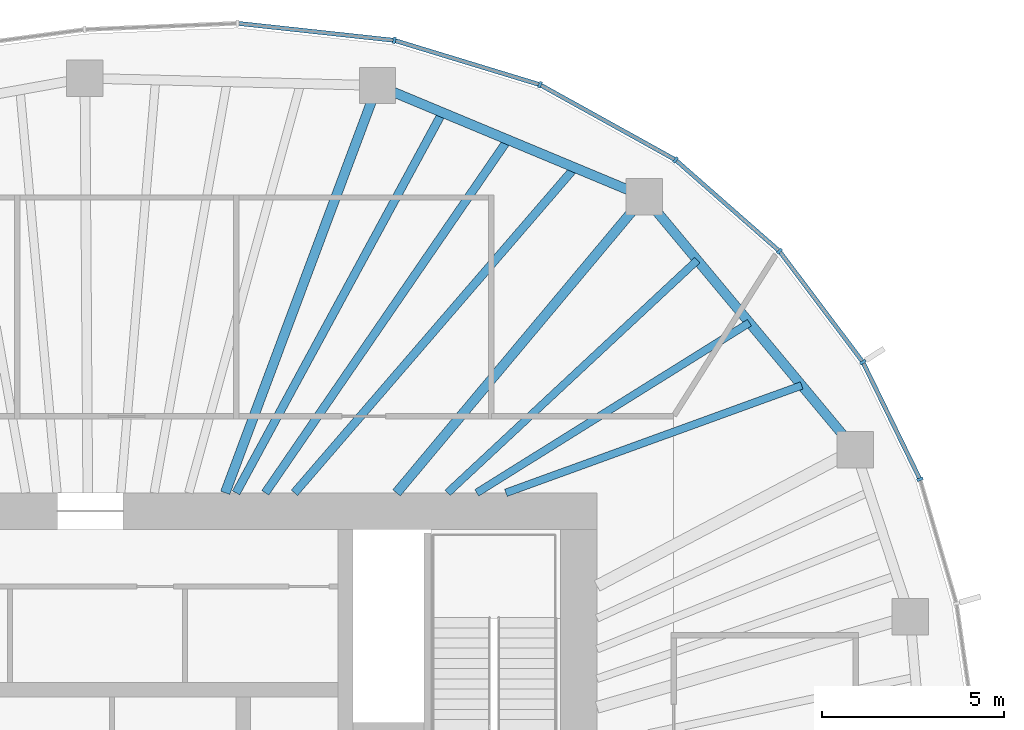
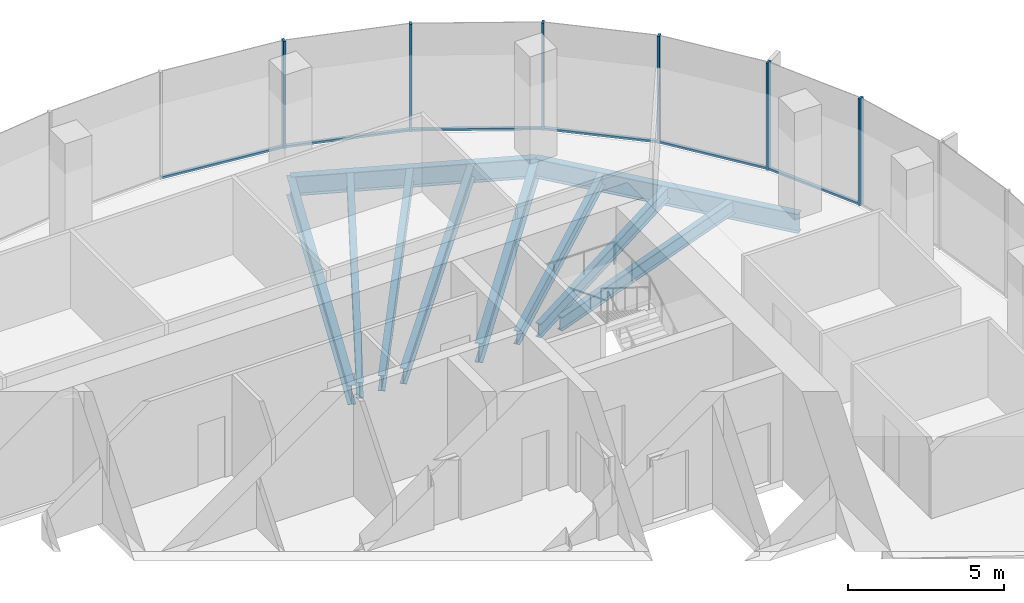
# One storey, part 6 of 11: 12 members, 10 beams, 4 elements without a shape of their own.
"""IFC4 building model written with IfcOpenShell, lengths in metres."""

from ifc_helpers import new_model, si_unit, direction, frame, origin, origin_2d, place, context, subcontext, project, spatial, rectangle, i_section, extrude, material, material_profile, profile_set, type_object, element, aggregate, save


model = new_model("IFC4")

# Units and contexts
model_context = context("Model", 3, precision=1e-05, world=origin(), true_north=direction((0.0, 1.0)))
body_context = subcontext(model_context, "Body", "Model", "MODEL_VIEW")
ifc_project = project(units=[si_unit("LENGTHUNIT", "METRE"), si_unit("AREAUNIT", "SQUARE_METRE"), si_unit("VOLUMEUNIT", "CUBIC_METRE"), si_unit("PLANEANGLEUNIT", "RADIAN"), si_unit("MASSUNIT", "GRAM", prefix="KILO")], contexts=[model_context])

# Site, building, storey
site_placement = place(None, origin())
site = spatial("IfcSite", under=ifc_project, at=site_placement, CompositionType="ELEMENT")
building_placement = place(site_placement, origin())
building = spatial("IfcBuilding", under=site, at=building_placement, Name="Ghaith Harvest Tower", CompositionType="ELEMENT")
storey_placement = place(building_placement, frame((0.0, 0.0, 321.60009765625)))
storey = spatial("IfcBuildingStorey", under=building, at=storey_placement, Name="L72", CompositionType="ELEMENT", Elevation=321.60009765625)

# Curtain wall, member
ifc_material_1 = material(Name="Black anodised aluminium and fritted glass", Category="aluminium")
curtain_wall_type = type_object("IfcCurtainWallType", Name="CW-T CURTAIN WALL", PredefinedType="NOTDEFINED", material=ifc_material_1)
curtain_wall_1_placement = place(storey_placement, origin())
curtain_wall_1 = element("IfcCurtainWall", 1, at=curtain_wall_1_placement, inside=storey, type_object=curtain_wall_type, Name="Curtain wall CW-T bay 02 L72", PredefinedType="NOTDEFINED")
ifc_material_2 = material(Name="Aluminium, black anodised", Category="aluminium")
ifc_material_profile_1 = material_profile(ifc_material_2, rectangle(XDim=0.080078125, YDim=0.179931640625, at=origin_2d()), Name="CW-T MULLION 80x180")
ifc_profile_set_1 = profile_set([ifc_material_profile_1], Name="Aluminium, black anodised")
member_type_1 = type_object("IfcMemberType", Name="CW-T MULLION 80x180", PredefinedType="MULLION", material=ifc_profile_set_1)
member_1_placement = place(storey_placement, frame((22.754150390625, 10.272216796875, 0.0), z_axis=(0.0, 0.0, 1.0), x_axis=(-0.361184273709, 0.932494461338, 0.0)))
member_1 = element("IfcMember", 2, at=member_1_placement, type_object=member_type_1, Name="CW-T mullion 2 bay 02 L72", PredefinedType="MULLION", context=body_context, shape_type="SweptSolid", body=[
    extrude(rectangle(XDim=0.080078125, YDim=0.179931640625, at=origin_2d()), origin(), (0.0, 0.0, 1.0), 4.199951171875),
])

# Curtain wall, members
curtain_wall_2_placement = place(storey_placement, origin())
curtain_wall_2 = element("IfcCurtainWall", 3, at=curtain_wall_2_placement, inside=storey, type_object=curtain_wall_type, Name="Curtain wall CW-T bay 03 L72", PredefinedType="NOTDEFINED")
member_2_placement = place(storey_placement, frame((21.18896484375, 13.48486328125, 0.0), z_axis=(0.0, 0.0, 1.0), x_axis=(-0.524482238522, 0.851421388899, 0.0)))
member_2 = element("IfcMember", 4, at=member_2_placement, type_object=member_type_1, Name="CW-T mullion 1 bay 03 L72", PredefinedType="MULLION", context=body_context, shape_type="SweptSolid", body=[
    extrude(rectangle(XDim=0.080078125, YDim=0.179931640625, at=origin_2d()), origin(), (0.0, 0.0, 1.0), 4.199951171875),
])
member_3_placement = place(storey_placement, frame((18.901123046875, 16.527099609375, 0.0), z_axis=(0.0, 0.0, 1.0), x_axis=(-0.679660897075, 0.733526458274, 0.0)))
member_3 = element("IfcMember", 5, at=member_3_placement, type_object=member_type_1, Name="CW-T mullion 2 bay 03 L72", PredefinedType="MULLION", context=body_context, shape_type="SweptSolid", body=[
    extrude(rectangle(XDim=0.080078125, YDim=0.179931640625, at=origin_2d()), origin(), (0.0, 0.0, 1.0), 4.199951171875),
])

curtain_wall_3_placement = place(storey_placement, origin())
curtain_wall_3 = element("IfcCurtainWall", 6, at=curtain_wall_3_placement, inside=storey, type_object=curtain_wall_type, Name="Curtain wall CW-T bay 04 L72", PredefinedType="NOTDEFINED")
member_4_placement = place(storey_placement, frame((16.04931640625, 19.031982421875, 0.0), z_axis=(0.0, 0.0, 1.0), x_axis=(-0.821112053873, 0.570767023385, 0.0)))
member_4 = element("IfcMember", 7, at=member_4_placement, type_object=member_type_1, Name="CW-T mullion 1 bay 04 L72", PredefinedType="MULLION", context=body_context, shape_type="SweptSolid", body=[
    extrude(rectangle(XDim=0.080078125, YDim=0.179931640625, at=origin_2d()), origin(), (0.0, 0.0, 1.0), 4.199951171875),
])
member_5_placement = place(storey_placement, frame((12.334228515625, 21.091796875, 0.0), z_axis=(0.0, 0.0, 1.0), x_axis=(-0.920319269246, 0.391168049123, 0.0)))
member_5 = element("IfcMember", 8, at=member_5_placement, type_object=member_type_1, Name="CW-T mullion 2 bay 04 L72", PredefinedType="MULLION", context=body_context, shape_type="SweptSolid", body=[
    extrude(rectangle(XDim=0.080078125, YDim=0.179931640625, at=origin_2d()), origin(), (0.0, 0.0, 1.0), 4.199951171875),
])

# Curtain wall, member
curtain_wall_4_placement = place(storey_placement, origin())
curtain_wall_4 = element("IfcCurtainWall", 9, at=curtain_wall_4_placement, inside=storey, type_object=curtain_wall_type, Name="Curtain wall CW-T bay 05 L72", PredefinedType="NOTDEFINED")
member_6_placement = place(storey_placement, frame((8.33984375, 22.308837890625, 0.0), z_axis=(0.0, 0.0, 1.0), x_axis=(-0.980000193436, 0.198996534809, 0.0)))
member_6 = element("IfcMember", 10, at=member_6_placement, type_object=member_type_1, Name="CW-T mullion 1 bay 05 L72", PredefinedType="MULLION", context=body_context, shape_type="SweptSolid", body=[
    extrude(rectangle(XDim=0.080078125, YDim=0.179931640625, at=origin_2d()), origin(), (0.0, 0.0, 1.0), 4.199951171875),
])

# Member
ifc_material_3 = material(Name="Aluminium, black anodised", Category="aluminium")
ifc_material_profile_2 = material_profile(ifc_material_3, rectangle(XDim=0.1201171875, YDim=0.080078125, at=origin_2d()), Name="CW-T TRANSOM 120x80")
ifc_profile_set_2 = profile_set([ifc_material_profile_2], Name="Aluminium, black anodised")
member_type_2 = type_object("IfcMemberType", Name="CW-T TRANSOM 120x80", PredefinedType="USERDEFINED", material=ifc_profile_set_2)
member_7_placement = place(storey_placement, frame((22.736572265625, 10.308349609375, 0.039794921875), z_axis=(-0.437965078712, 0.898991985408, 0.0), x_axis=(-0.898991985408, -0.437965078712, 0.0)))
member_7 = element("IfcMember", 11, at=member_7_placement, type_object=member_type_2, Name="CW-T transom 2 bay 02 L72", ObjectType="TRANSOM", PredefinedType="USERDEFINED", context=body_context, shape_type="SweptSolid", body=[
    extrude(rectangle(XDim=0.1201171875, YDim=0.080078125, at=origin_2d()), origin(), (0.0, 0.0, 1.0), 3.493408203125),
])

aggregate(curtain_wall_1, [member_1, member_7])

member_8_placement = place(storey_placement, frame((21.1650390625, 13.516845703125, 0.039794921875), z_axis=(-0.601079103045, 0.799189534392, 0.0), x_axis=(-0.799189534392, -0.601079103045, 0.0)))
member_8 = element("IfcMember", 12, at=member_8_placement, type_object=member_type_2, Name="CW-T transom 1 bay 03 L72", ObjectType="TRANSOM", PredefinedType="USERDEFINED", context=body_context, shape_type="SweptSolid", body=[
    extrude(rectangle(XDim=0.1201171875, YDim=0.080078125, at=origin_2d()), origin(), (0.0, 0.0, 1.0), 3.7265625),
])

member_9_placement = place(storey_placement, frame((18.87109375, 16.553466796875, 0.039794921875), z_axis=(-0.751325799984, 0.659931467865, 0.0), x_axis=(-0.659931467865, -0.751325799984, 0.0)))
member_9 = element("IfcMember", 13, at=member_9_placement, type_object=member_type_2, Name="CW-T transom 2 bay 03 L72", ObjectType="TRANSOM", PredefinedType="USERDEFINED", context=body_context, shape_type="SweptSolid", body=[
    extrude(rectangle(XDim=0.1201171875, YDim=0.080078125, at=origin_2d()), origin(), (0.0, 0.0, 1.0), 3.7158203125),
])

aggregate(curtain_wall_2, [member_2, member_8, member_3, member_9])

member_10_placement = place(storey_placement, frame((16.01416015625, 19.051513671875, 0.039794921875), z_axis=(-0.874552130553, 0.484931511603, 0.0), x_axis=(-0.484931511603, -0.874552130553, 0.0)))
member_10 = element("IfcMember", 14, at=member_10_placement, type_object=member_type_2, Name="CW-T transom 1 bay 04 L72", ObjectType="TRANSOM", PredefinedType="USERDEFINED", context=body_context, shape_type="SweptSolid", body=[
    extrude(rectangle(XDim=0.1201171875, YDim=0.080078125, at=origin_2d()), origin(), (0.0, 0.0, 1.0), 4.16748046875),
])

member_11_placement = place(storey_placement, frame((12.296142578125, 21.103515625, 0.039794921875), z_axis=(-0.956593713342, 0.291424891858, 0.0), x_axis=(-0.291424891858, -0.956593713342, 0.0)))
member_11 = element("IfcMember", 15, at=member_11_placement, type_object=member_type_2, Name="CW-T transom 2 bay 04 L72", ObjectType="TRANSOM", PredefinedType="USERDEFINED", context=body_context, shape_type="SweptSolid", body=[
    extrude(rectangle(XDim=0.1201171875, YDim=0.080078125, at=origin_2d()), origin(), (0.0, 0.0, 1.0), 4.095703125),
])

aggregate(curtain_wall_3, [member_4, member_10, member_5, member_11])

member_12_placement = place(storey_placement, frame((8.300048828125, 22.313232421875, 0.039794921875), z_axis=(-0.994144463069, 0.108059180768, 0.0), x_axis=(-0.108059180768, -0.994144463069, 0.0)))
member_12 = element("IfcMember", 16, at=member_12_placement, type_object=member_type_2, Name="CW-T transom 1 bay 05 L72", ObjectType="TRANSOM", PredefinedType="USERDEFINED", context=body_context, shape_type="SweptSolid", body=[
    extrude(rectangle(XDim=0.1201171875, YDim=0.080078125, at=origin_2d()), origin(), (0.0, 0.0, 1.0), 4.24755859375),
])

aggregate(curtain_wall_4, [member_6, member_12])

# Beams
ifc_material_4 = material(Name="Steel ASTM A992 Grade 50", Category="steel")
ifc_material_profile_3 = material_profile(ifc_material_4, i_section(OverallWidth=0.26611328125, OverallDepth=0.758056640625, WebThickness=0.013916015625, FlangeThickness=0.019287109375, at=origin_2d()), Name="W760X161")
ifc_profile_set_3 = profile_set([ifc_material_profile_3], Name="Steel ASTM A992 Grade 50")
beam_type_1 = type_object("IfcBeamType", Name="E760-161 W760X161", PredefinedType="SPANDREL", material=ifc_profile_set_3)
beam_1_placement = place(storey_placement, frame((20.97705078125, 11.087890625, -0.549072265625), z_axis=(-0.640173759088, 0.76823014662, 0.0), x_axis=(-0.76823014662, -0.640173759088, 0.0)))
element("IfcBeam", 17, at=beam_1_placement, inside=storey, type_object=beam_type_1, Name="Edge beam E03 L72", PredefinedType="SPANDREL", context=body_context, shape_type="SweptSolid", body=[
    extrude(i_section(OverallWidth=0.26611328125, OverallDepth=0.758056640625, WebThickness=0.013916015625, FlangeThickness=0.019287109375, at=origin_2d()), origin(), (0.0, 0.0, 1.0), 9.02734375),
])
beam_2_placement = place(storey_placement, frame((15.197998046875, 18.02294921875, -0.549072265625), z_axis=(-0.923119729219, 0.384512633766, 0.0), x_axis=(-0.384512633766, -0.923119729219, 0.0)))
element("IfcBeam", 18, at=beam_2_placement, inside=storey, type_object=beam_type_1, Name="Edge beam E04 L72", PredefinedType="SPANDREL", context=body_context, shape_type="SweptSolid", body=[
    extrude(i_section(OverallWidth=0.26611328125, OverallDepth=0.758056640625, WebThickness=0.013916015625, FlangeThickness=0.019287109375, at=origin_2d()), origin(), (0.0, 0.0, 1.0), 7.9296875),
])
ifc_material_5 = material(Name="Steel ASTM A992 Grade 50", Category="steel")
ifc_material_profile_4 = material_profile(ifc_material_5, i_section(OverallWidth=0.26611328125, OverallDepth=0.758056640625, WebThickness=0.013916015625, FlangeThickness=0.019287109375, at=origin_2d()), Name="W760X161")
ifc_profile_set_4 = profile_set([ifc_material_profile_4], Name="Steel ASTM A992 Grade 50")
beam_type_2 = type_object("IfcBeamType", Name="G760-161 W760X161", PredefinedType="BEAM", material=ifc_profile_set_4)
beam_3_placement = place(storey_placement, frame((8.39990234375, 9.89990234375, -0.549072265625), z_axis=(0.641792628883, 0.766878231215, 0.0), x_axis=(-0.766878231215, 0.641792628883, 0.0)))
element("IfcBeam", 19, at=beam_3_placement, inside=storey, type_object=beam_type_2, Name="Radial girder G04 L72", PredefinedType="BEAM", context=body_context, shape_type="SweptSolid", body=[
    extrude(i_section(OverallWidth=0.26611328125, OverallDepth=0.758056640625, WebThickness=0.013916015625, FlangeThickness=0.019287109375, at=origin_2d()), origin(), (0.0, 0.0, 1.0), 10.59228515625),
])
beam_4_placement = place(storey_placement, frame((3.700927734375, 9.89990234375, -0.549072265625), z_axis=(0.350201332531, 0.936674450753, 0.0), x_axis=(-0.936674450753, 0.350201332531, 0.0)))
element("IfcBeam", 20, at=beam_4_placement, inside=storey, type_object=beam_type_2, Name="Radial girder G05 L72", PredefinedType="BEAM", context=body_context, shape_type="SweptSolid", body=[
    extrude(i_section(OverallWidth=0.26611328125, OverallDepth=0.758056640625, WebThickness=0.013916015625, FlangeThickness=0.019287109375, at=origin_2d()), origin(), (0.0, 0.0, 1.0), 11.927490234375),
])
ifc_material_6 = material(Name="Steel ASTM A992 Grade 50", Category="steel")
ifc_material_profile_5 = material_profile(ifc_material_6, i_section(OverallWidth=0.2109375, OverallDepth=0.5390625, WebThickness=0.01171875, FlangeThickness=0.018798828125, at=origin_2d()), Name="W530X109")
ifc_profile_set_5 = profile_set([ifc_material_profile_5], Name="Steel ASTM A992 Grade 50")
beam_type_3 = type_object("IfcBeamType", Name="J530-109 W530X109", PredefinedType="JOIST", material=ifc_profile_set_5)
beam_5_placement = place(storey_placement, frame((11.39990234375, 9.89990234375, -0.439697265625), z_axis=(0.939925501564, 0.341379629605, 0.0), x_axis=(-0.341379629605, 0.939925501564, 0.0)))
element("IfcBeam", 21, at=beam_5_placement, inside=storey, type_object=beam_type_3, Name="Joist J03.1 L72", PredefinedType="JOIST", context=body_context, shape_type="SweptSolid", body=[
    extrude(i_section(OverallWidth=0.2109375, OverallDepth=0.5390625, WebThickness=0.01171875, FlangeThickness=0.018798828125, at=origin_2d()), origin(), (0.0, 0.0, 1.0), 8.630615234375),
])
beam_6_placement = place(storey_placement, frame((10.60009765625, 9.89990234375, -0.439697265625), z_axis=(0.84837619421, 0.52939383553, 0.0), x_axis=(-0.52939383553, 0.84837619421, 0.0)))
element("IfcBeam", 22, at=beam_6_placement, inside=storey, type_object=beam_type_3, Name="Joist J03.2 L72", PredefinedType="JOIST", context=body_context, shape_type="SweptSolid", body=[
    extrude(i_section(OverallWidth=0.2109375, OverallDepth=0.5390625, WebThickness=0.01171875, FlangeThickness=0.018798828125, at=origin_2d()), origin(), (0.0, 0.0, 1.0), 8.814697265625),
])
beam_7_placement = place(storey_placement, frame((9.800048828125, 9.89990234375, -0.439697265625), z_axis=(0.73164904944, 0.681681500742, 0.0), x_axis=(-0.681681500742, 0.73164904944, 0.0)))
element("IfcBeam", 23, at=beam_7_placement, inside=storey, type_object=beam_type_3, Name="Joist J03.3 L72", PredefinedType="JOIST", context=body_context, shape_type="SweptSolid", body=[
    extrude(i_section(OverallWidth=0.2109375, OverallDepth=0.5390625, WebThickness=0.01171875, FlangeThickness=0.018798828125, at=origin_2d()), origin(), (0.0, 0.0, 1.0), 9.361572265625),
])
ifc_material_7 = material(Name="Steel ASTM A992 Grade 50", Category="steel")
ifc_material_profile_6 = material_profile(ifc_material_7, i_section(OverallWidth=0.22998046875, OverallDepth=0.616943359375, WebThickness=0.01318359375, FlangeThickness=0.022216796875, at=origin_2d()), Name="W610X140")
ifc_profile_set_6 = profile_set([ifc_material_profile_6], Name="Steel ASTM A992 Grade 50")
beam_type_4 = type_object("IfcBeamType", Name="J610-140 W610X140", PredefinedType="JOIST", material=ifc_profile_set_6)
beam_8_placement = place(storey_placement, frame((5.60009765625, 9.89990234375, -0.478515625), z_axis=(0.652992938501, 0.757363995888, 0.0), x_axis=(-0.757363995888, 0.652992938501, 0.0)))
element("IfcBeam", 24, at=beam_8_placement, inside=storey, type_object=beam_type_4, Name="Joist J04.1 L72", PredefinedType="JOIST", context=body_context, shape_type="SweptSolid", body=[
    extrude(i_section(OverallWidth=0.22998046875, OverallDepth=0.616943359375, WebThickness=0.01318359375, FlangeThickness=0.022216796875, at=origin_2d()), origin(), (0.0, 0.0, 1.0), 11.775390625),
])
beam_9_placement = place(storey_placement, frame((4.800048828125, 9.89990234375, -0.478515625), z_axis=(0.566228035119, 0.824248634967, 0.0), x_axis=(-0.824248634967, 0.566228035119, 0.0)))
element("IfcBeam", 25, at=beam_9_placement, inside=storey, type_object=beam_type_4, Name="Joist J04.2 L72", PredefinedType="JOIST", context=body_context, shape_type="SweptSolid", body=[
    extrude(i_section(OverallWidth=0.22998046875, OverallDepth=0.616943359375, WebThickness=0.01318359375, FlangeThickness=0.022216796875, at=origin_2d()), origin(), (0.0, 0.0, 1.0), 11.748046875),
])
beam_10_placement = place(storey_placement, frame((4.0, 9.89990234375, -0.478515625), z_axis=(0.476764926531, 0.879030832696, 0.0), x_axis=(-0.879030832696, 0.476764926531, 0.0)))
element("IfcBeam", 26, at=beam_10_placement, inside=storey, type_object=beam_type_4, Name="Joist J04.3 L72", PredefinedType="JOIST", context=body_context, shape_type="SweptSolid", body=[
    extrude(i_section(OverallWidth=0.22998046875, OverallDepth=0.616943359375, WebThickness=0.01318359375, FlangeThickness=0.022216796875, at=origin_2d()), origin(), (0.0, 0.0, 1.0), 11.866455078125),
])

save(model, "model.ifc")
